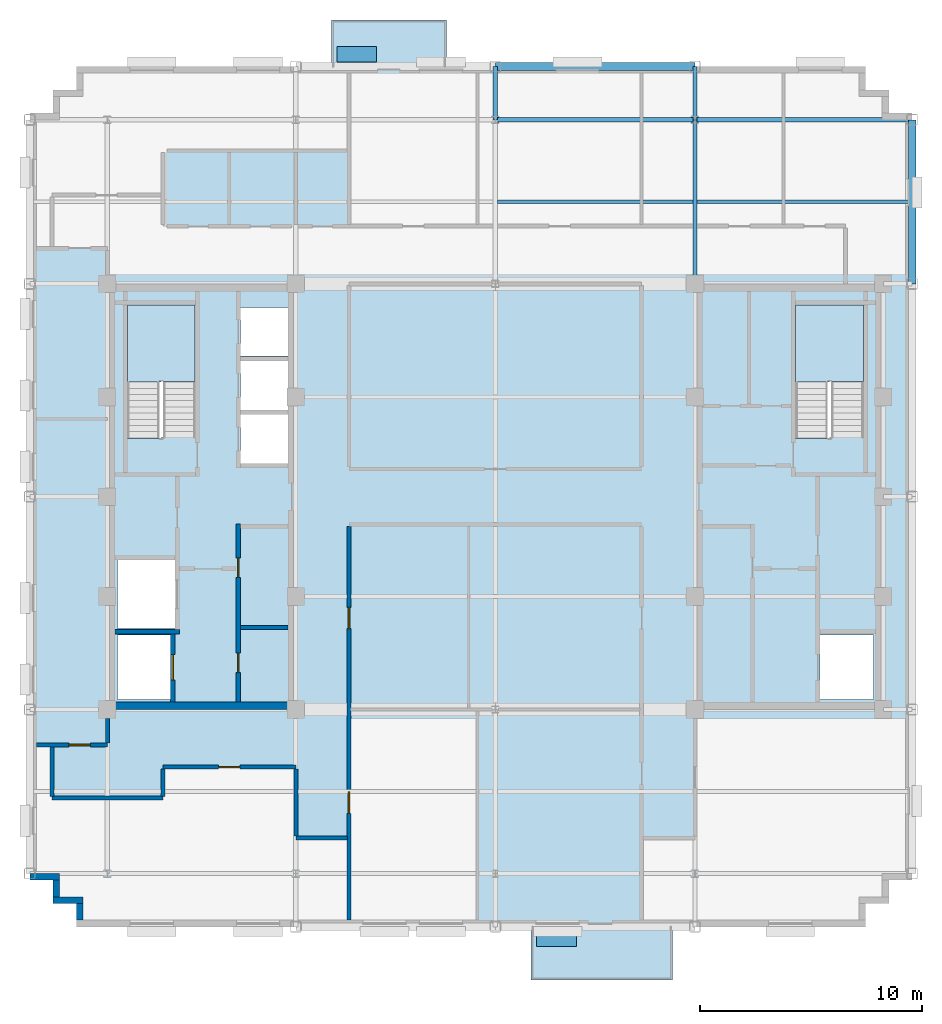
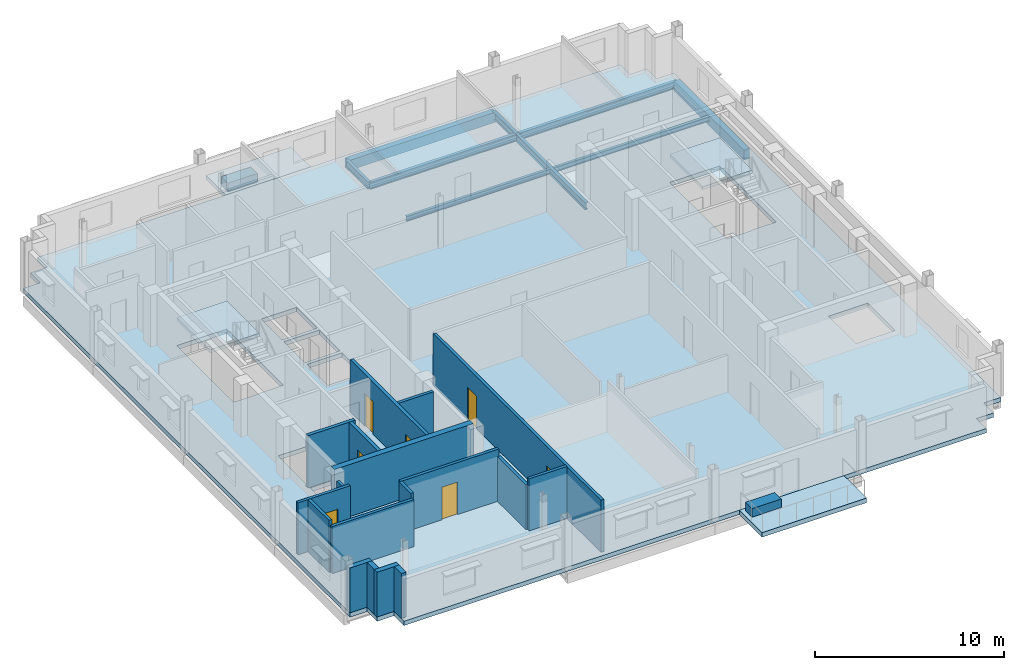
# One storey, part 5 of 13: 18 walls, 9 beams, 7 doors, 5 slabs, 2 plates, 7 openings, 2 elements without a shape of their own.
"""IFC4 building model written with IfcOpenShell, lengths in metres."""

from ifc_helpers import new_model, si_unit, direction, frame, frame_2d, origin, origin_2d, place, context, subcontext, project, spatial, polyline, rectangle, i_section, outline, extrude, source, transform, mapped, material, layer, layer_set, material_profile, profile_set, type_object, type_shapes, element, fill, aggregate, save


model = new_model("IFC4")

# Units and contexts
model_context = context("Model", 3, precision=1e-05, world=origin(), true_north=direction((0.0, 1.0)))
body_context = subcontext(model_context, "Body", "Model", "MODEL_VIEW")
ifc_project = project(units=[si_unit("LENGTHUNIT", "METRE"), si_unit("AREAUNIT", "SQUARE_METRE"), si_unit("VOLUMEUNIT", "CUBIC_METRE"), si_unit("PLANEANGLEUNIT", "RADIAN"), si_unit("MASSUNIT", "GRAM", prefix="KILO")], contexts=[model_context])

# Site, building, storey
site_placement = place(None, origin())
site = spatial("IfcSite", under=ifc_project, at=site_placement, CompositionType="ELEMENT")
building_placement = place(site_placement, origin())
building = spatial("IfcBuilding", under=site, at=building_placement, Name="Nuvemarco Arch Tower", CompositionType="ELEMENT")
storey_placement = place(building_placement, frame((0.0, 0.0, 257.949951171875)))
storey = spatial("IfcBuildingStorey", under=building, at=storey_placement, Name="L68", CompositionType="ELEMENT", Elevation=257.949951171875)

# Beams
ifc_material_1 = material(Name="Steel S355", Category="steel")
ifc_material_profile_1 = material_profile(ifc_material_1, i_section(OverallWidth=0.19189453125, OverallDepth=0.462890625, WebThickness=0.010498046875, FlangeThickness=0.017578125, FilletRadius=0.014892578125, at=origin_2d()), Name="W460x89")
ifc_profile_set_1 = profile_set([ifc_material_profile_1], Name="Steel S355")
beam_type_1 = type_object("IfcBeamType", Name="BM-GIRD-460", PredefinedType="BEAM", material=ifc_profile_set_1)
beam_1_placement = place(storey_placement, frame((0.0, 17.0, -0.511474609375), z_axis=(0.0, 1.0, 0.0), x_axis=(-1.0, 0.0, 0.0)))
element("IfcBeam", 1, at=beam_1_placement, inside=storey, type_object=beam_type_1, Name="L68 structural beam BGNS_L68_0_+0.0_+17.0", PredefinedType="BEAM", context=body_context, shape_type="SweptSolid", body=[
    extrude(i_section(OverallWidth=0.19189453125, OverallDepth=0.462890625, WebThickness=0.010498046875, FlangeThickness=0.017578125, FilletRadius=0.014892578125, at=origin_2d()), origin(), (0.0, 0.0, 1.0), 2.39990234375),
])
beam_2_placement = place(storey_placement, frame((9.0, 9.60009765625, -0.511474609375), z_axis=(0.0, 1.0, 0.0), x_axis=(-1.0, 0.0, 0.0)))
element("IfcBeam", 2, at=beam_2_placement, inside=storey, type_object=beam_type_1, Name="L68 structural beam BGNS_L68_0_+9.0_+9.6", PredefinedType="BEAM", context=body_context, shape_type="SweptSolid", body=[
    extrude(i_section(OverallWidth=0.19189453125, OverallDepth=0.462890625, WebThickness=0.010498046875, FlangeThickness=0.017578125, FilletRadius=0.014892578125, at=origin_2d()), origin(), (0.0, 0.0, 1.0), 7.39990234375),
])
beam_3_placement = place(storey_placement, frame((9.0, 17.0, -0.511474609375), z_axis=(0.0, 1.0, 0.0), x_axis=(-1.0, 0.0, 0.0)))
element("IfcBeam", 3, at=beam_3_placement, inside=storey, type_object=beam_type_1, Name="L68 structural beam BGNS_L68_0_+9.0_+17.0", PredefinedType="BEAM", context=body_context, shape_type="SweptSolid", body=[
    extrude(i_section(OverallWidth=0.19189453125, OverallDepth=0.462890625, WebThickness=0.010498046875, FlangeThickness=0.017578125, FilletRadius=0.014892578125, at=origin_2d()), origin(), (0.0, 0.0, 1.0), 2.39990234375),
])
beam_4_placement = place(storey_placement, frame((0.0, 17.0, -0.511474609375), z_axis=(1.0, 0.0, 0.0), x_axis=(0.0, 1.0, 0.0)))
element("IfcBeam", 4, at=beam_4_placement, inside=storey, type_object=beam_type_1, Name="L68 structural beam BGEW_L68_0_+17.0_+0.0", PredefinedType="BEAM", context=body_context, shape_type="SweptSolid", body=[
    extrude(i_section(OverallWidth=0.19189453125, OverallDepth=0.462890625, WebThickness=0.010498046875, FlangeThickness=0.017578125, FilletRadius=0.014892578125, at=origin_2d()), origin(), (0.0, 0.0, 1.0), 9.0),
])
beam_5_placement = place(storey_placement, frame((9.0, 17.0, -0.511474609375), z_axis=(1.0, 0.0, 0.0), x_axis=(0.0, 1.0, 0.0)))
element("IfcBeam", 5, at=beam_5_placement, inside=storey, type_object=beam_type_1, Name="L68 structural beam BGEW_L68_0_+17.0_+9.0", PredefinedType="BEAM", context=body_context, shape_type="SweptSolid", body=[
    extrude(i_section(OverallWidth=0.19189453125, OverallDepth=0.462890625, WebThickness=0.010498046875, FlangeThickness=0.017578125, FilletRadius=0.014892578125, at=origin_2d()), origin(), (0.0, 0.0, 1.0), 9.800048828125),
])
ifc_material_profile_2 = material_profile(ifc_material_1, i_section(OverallWidth=0.1669921875, OverallDepth=0.31689453125, WebThickness=0.007568359375, FlangeThickness=0.01318359375, FilletRadius=0.010009765625, at=origin_2d()), Name="W310x52")
ifc_profile_set_2 = profile_set([ifc_material_profile_2], Name="Steel S355")
beam_type_2 = type_object("IfcBeamType", Name="BM-JOIST-310", PredefinedType="JOIST", material=ifc_profile_set_2)
beam_6_placement = place(storey_placement, frame((0.095947265625, 13.300048828125, -0.4384765625), z_axis=(1.0, 0.0, 0.0), x_axis=(0.0, 1.0, 0.0)))
element("IfcBeam", 6, at=beam_6_placement, inside=storey, type_object=beam_type_2, Name="L68 structural beam BJ_L68_0_+13.3_+0.0", PredefinedType="JOIST", context=body_context, shape_type="SweptSolid", body=[
    extrude(i_section(OverallWidth=0.1669921875, OverallDepth=0.31689453125, WebThickness=0.007568359375, FlangeThickness=0.01318359375, FilletRadius=0.010009765625, at=origin_2d()), origin(), (0.0, 0.0, 1.0), 8.80810546875),
])
beam_7_placement = place(storey_placement, frame((9.095947265625, 13.300048828125, -0.4384765625), z_axis=(1.0, 0.0, 0.0), x_axis=(0.0, 1.0, 0.0)))
element("IfcBeam", 7, at=beam_7_placement, inside=storey, type_object=beam_type_2, Name="L68 structural beam BJ_L68_0_+13.3_+9.0", PredefinedType="JOIST", context=body_context, shape_type="SweptSolid", body=[
    extrude(i_section(OverallWidth=0.1669921875, OverallDepth=0.31689453125, WebThickness=0.007568359375, FlangeThickness=0.01318359375, FilletRadius=0.010009765625, at=origin_2d()), origin(), (0.0, 0.0, 1.0), 9.529052734375),
])
ifc_material_2 = material(Name="Precast concrete C45/55", Category="concrete")
ifc_material_profile_3 = material_profile(ifc_material_2, rectangle(XDim=0.35009765625, YDim=0.64990234375, at=origin_2d()), Name="PC-SP-350x650")
ifc_profile_set_3 = profile_set([ifc_material_profile_3], Name="Precast concrete C45/55")
beam_type_3 = type_object("IfcBeamType", Name="BM-SPAN-RC", PredefinedType="SPANDREL", material=ifc_profile_set_3)
beam_8_placement = place(storey_placement, frame((18.800048828125, 9.60009765625, -0.60498046875), z_axis=(0.0, 1.0, 0.0), x_axis=(-1.0, 0.0, 0.0)))
element("IfcBeam", 8, at=beam_8_placement, inside=storey, type_object=beam_type_3, Name="L68 structural beam BGNS_L68_0_+18.8_+9.6", PredefinedType="SPANDREL", context=body_context, shape_type="SweptSolid", body=[
    extrude(rectangle(XDim=0.35009765625, YDim=0.64990234375, at=origin_2d()), origin(), (0.0, 0.0, 1.0), 7.39990234375),
])
beam_9_placement = place(storey_placement, frame((0.0, 19.39990234375, -0.60498046875), z_axis=(1.0, 0.0, 0.0), x_axis=(0.0, 1.0, 0.0)))
element("IfcBeam", 9, at=beam_9_placement, inside=storey, type_object=beam_type_3, Name="L68 structural beam BGEW_L68_0_+19.4_+0.0", PredefinedType="SPANDREL", context=body_context, shape_type="SweptSolid", body=[
    extrude(rectangle(XDim=0.35009765625, YDim=0.64990234375, at=origin_2d()), origin(), (0.0, 0.0, 1.0), 9.0),
])

# Slab
ifc_material_3 = material(Name="Concrete C50/60", Category="concrete")
ifc_layer_1 = layer(ifc_material_3, 0.280029296875, Name="SL-FLR-280")
ifc_layer_set_1 = layer_set([ifc_layer_1], Name="Concrete C50/60")
slab_type_1 = type_object("IfcSlabType", Name="SL-FLR-280", PredefinedType="FLOOR", material=ifc_layer_set_1)
slab_1_placement = place(storey_placement, frame((0.0, 0.0, -0.280029296875)))
element("IfcSlab", 10, at=slab_1_placement, inside=storey, type_object=slab_type_1, Name="L68 structural floor slab", PredefinedType="FLOOR", context=body_context, shape_type="SweptSolid", body=[
    extrude(outline(polyline([(-18.89990234375, -19.39990234375), (16.699951171875, -19.39990234375), (16.699951171875, -18.35009765625), (17.75, -18.35009765625), (17.75, -17.300048828125), (18.800048828125, -17.300048828125), (18.800048828125, 17.300048828125), (17.75, 17.300048828125), (17.75, 18.35009765625), (16.699951171875, 18.35009765625), (16.699951171875, 19.39990234375), (-18.89990234375, 19.39990234375), (-18.89990234375, 18.35009765625), (-19.949951171875, 18.35009765625), (-19.949951171875, 17.300048828125), (-21.0, 17.300048828125), (-21.0, -17.300048828125), (-19.949951171875, -17.300048828125), (-19.949951171875, -18.35009765625), (-18.89990234375, -18.35009765625), (-18.89990234375, -19.39990234375)]), holes=[polyline([(-13.5400390625, 2.669921875), (-13.5400390625, 8.64990234375), (-16.60009765625, 8.64990234375), (-16.60009765625, 2.630615234375), (-15.070068359375, 2.630615234375), (-15.070068359375, 2.669921875), (-13.5400390625, 2.669921875)]), polyline([(16.60009765625, 2.669921875), (16.60009765625, 8.64990234375), (13.5400390625, 8.64990234375), (13.5400390625, 2.630615234375), (15.070068359375, 2.630615234375), (15.070068359375, 2.669921875), (16.60009765625, 2.669921875)]), polyline([(-17.050048828125, -9.14990234375), (-14.64990234375, -9.14990234375), (-14.64990234375, -6.25), (-17.050048828125, -6.25), (-17.050048828125, -9.14990234375)]), polyline([(-17.050048828125, -5.949951171875), (-14.449951171875, -5.949951171875), (-14.449951171875, -2.85009765625), (-17.050048828125, -2.85009765625), (-17.050048828125, -5.949951171875)]), polyline([(-11.5, 1.5), (-9.35009765625, 1.5), (-9.35009765625, 3.699951171875), (-11.5, 3.699951171875), (-11.5, 1.5)]), polyline([(-11.5, 3.919921875), (-9.35009765625, 3.919921875), (-9.35009765625, 6.1201171875), (-11.5, 6.1201171875), (-11.5, 3.919921875)]), polyline([(-11.5, 6.340087890625), (-9.35009765625, 6.340087890625), (-9.35009765625, 8.5400390625), (-11.5, 8.5400390625), (-11.5, 6.340087890625)]), polyline([(14.64990234375, -9.14990234375), (17.050048828125, -9.14990234375), (17.050048828125, -6.25), (14.64990234375, -6.25), (14.64990234375, -9.14990234375)])]), origin(), (0.0, 0.0, 1.0), 0.280029296875),
])

# Stair, slab
stair_type = type_object("IfcStairType", Name="ST-CORE-20R", PredefinedType="HALF_TURN_STAIR", material=ifc_material_2)
stair_1_placement = place(storey_placement, origin())
stair_1 = element("IfcStair", 11, at=stair_1_placement, inside=storey, type_object=stair_type, Name="L68 Protected Exit Stair ST-1", PredefinedType="HALF_TURN_STAIR")
ifc_layer_2 = layer(ifc_material_2, 0.199951171875, Name="SL-LANDING-200")
ifc_layer_set_2 = layer_set([ifc_layer_2], Name="Precast concrete C45/55")
slab_type_2 = type_object("IfcSlabType", Name="SL-LANDING-200", PredefinedType="LANDING", material=ifc_layer_set_2)
slab_2_placement = place(storey_placement, frame((0.0, 0.0, 1.625)))
slab_2 = element("IfcSlab", 12, at=slab_2_placement, type_object=slab_type_2, Name="ST-20R landing 1", PredefinedType="LANDING", context=body_context, shape_type="SweptSolid", body=[
    extrude(outline(polyline([(-13.5400390625, 5.189453125), (-13.5400390625, 8.64990234375), (-16.60009765625, 8.64990234375), (-16.60009765625, 5.169921875), (-15.070068359375, 5.169921875), (-15.070068359375, 5.189453125), (-13.5400390625, 5.189453125)])), origin(), (0.0, 0.0, 1.0), 0.199951171875),
])
aggregate(stair_1, [slab_2])

stair_2_placement = place(storey_placement, origin())
stair_2 = element("IfcStair", 13, at=stair_2_placement, inside=storey, type_object=stair_type, Name="L68 Protected Exit Stair ST-2", PredefinedType="HALF_TURN_STAIR")
slab_3_placement = place(storey_placement, frame((0.0, 0.0, 1.625)))
slab_3 = element("IfcSlab", 14, at=slab_3_placement, type_object=slab_type_2, Name="ST-20R landing 1", PredefinedType="LANDING", context=body_context, shape_type="SweptSolid", body=[
    extrude(outline(polyline([(16.60009765625, 5.189453125), (16.60009765625, 8.64990234375), (13.5400390625, 8.64990234375), (13.5400390625, 5.169921875), (15.070068359375, 5.169921875), (15.070068359375, 5.189453125), (16.60009765625, 5.189453125)])), origin(), (0.0, 0.0, 1.0), 0.199951171875),
])
aggregate(stair_2, [slab_3])

# Slabs
ifc_layer_3 = layer(ifc_material_3, 0.264892578125, Name="SL-TB1")
ifc_layer_set_3 = layer_set([ifc_layer_3], Name="Concrete C50/60")
slab_type_3 = type_object("IfcSlabType", Name="SL-TB1", PredefinedType="FLOOR", material=ifc_layer_set_3)
slab_4_placement = place(storey_placement, frame((0.0, 0.0, -0.264892578125)))
element("IfcSlab", 15, at=slab_4_placement, inside=storey, type_object=slab_type_3, Name="L68 outdoor tree balcony slab 2", PredefinedType="FLOOR", context=body_context, shape_type="SweptSolid", body=[
    extrude(outline(polyline([(-7.39990234375, 19.39990234375), (-2.199951171875, 19.39990234375), (-2.199951171875, 21.5), (-7.39990234375, 21.5), (-7.39990234375, 19.39990234375)])), origin(), (0.0, 0.0, 1.0), 0.264892578125),
])
ifc_layer_4 = layer(ifc_material_3, 0.294921875, Name="SL-TR4")
ifc_layer_set_4 = layer_set([ifc_layer_4], Name="Concrete C50/60")
slab_type_4 = type_object("IfcSlabType", Name="SL-TR4", PredefinedType="FLOOR", material=ifc_layer_set_4)
slab_5_placement = place(storey_placement, frame((0.0, 0.0, -0.294921875)))
element("IfcSlab", 16, at=slab_5_placement, inside=storey, type_object=slab_type_4, Name="L68 outdoor spiral terrace slab 1", PredefinedType="FLOOR", context=body_context, shape_type="SweptSolid", body=[
    extrude(outline(polyline([(1.60009765625, -21.800048828125), (8.0, -21.800048828125), (8.0, -19.39990234375), (1.60009765625, -19.39990234375), (1.60009765625, -21.800048828125)])), origin(), (0.0, 0.0, 1.0), 0.294921875),
])

# Plates
ifc_layer_5 = layer(ifc_material_2, 0.550048828125, Name="Tree Balcony Structural Planter")
ifc_layer_set_5 = layer_set([ifc_layer_5], Name="Precast concrete C45/55")
plate_type = type_object("IfcPlateType", Name="Tree Balcony Structural Planter", PredefinedType="USERDEFINED", material=ifc_layer_set_5)
shared_shape_1 = source(origin(), body_context, "Body", "SweptSolid", [
    extrude(rectangle(XDim=1.800048828125, YDim=0.699951171875, at=origin_2d()), origin(), (0.0, 0.0, 1.0), 0.550048828125),
])
type_shapes(plate_type, [shared_shape_1])
for number, where, z_axis, x_axis, name in (
    (17, (2.75, -19.949951171875, 0.0), (0.0, 0.0, 1.0), (1.0, 0.0, 0.0), "L68 Tree Balcony Structural Planter"),
    (18, (-6.25, 19.949951171875, 0.0), (0.0, 0.0, 1.0), (1.0, 0.0, 0.0), "L68 Tree Balcony Structural Planter"),
):
    element("IfcPlate", number, at=place(storey_placement, frame(where, z_axis=z_axis, x_axis=x_axis)), inside=storey, type_object=plate_type, Name=name, ObjectType="PLANTER", PredefinedType="USERDEFINED", context=body_context, shape_type="MappedRepresentation", body=[
        mapped(shared_shape_1, transform((0.0, 0.0, 0.0), scale=1.0)),
    ])

# Walls
ifc_layer_6 = layer(ifc_material_2, 0.300048828125, Name="EW-HIGH-300")
ifc_layer_set_6 = layer_set([ifc_layer_6], Name="Precast concrete C45/55")
wall_type_1 = type_object("IfcWallType", Name="EW-HIGH-300", PredefinedType="STANDARD", material=ifc_layer_set_6)
wall_1_placement = place(storey_placement, frame((-21.0, -17.14990234375, 0.0), z_axis=(0.0, 0.0, 1.0), x_axis=(1.0, 0.0, 0.0)))
element("IfcWall", 19, at=wall_1_placement, inside=storey, type_object=wall_type_1, Name="L68 exterior precast facade wall 17", PredefinedType="STANDARD", context=body_context, shape_type="SweptSolid", body=[
    extrude(rectangle(XDim=1.35009765625, YDim=0.300048828125, at=frame_2d((0.675048828125, 0.0))), origin(), (0.0, 0.0, 1.0), 2.89208984375),
])
wall_2_placement = place(storey_placement, frame((-19.800048828125, -18.053955078125, 0.0), z_axis=(0.0, 0.0, 1.0), x_axis=(0.0, 1.0, 0.0)))
element("IfcWall", 20, at=wall_2_placement, inside=storey, type_object=wall_type_1, Name="L68 exterior precast facade wall 18", PredefinedType="STANDARD", context=body_context, shape_type="SweptSolid", body=[
    extrude(rectangle(XDim=0.758056640625, YDim=0.300048828125, at=frame_2d((0.37890625, 0.0))), origin(), (0.0, 0.0, 1.0), 2.89208984375),
])
wall_3_placement = place(storey_placement, frame((-19.949951171875, -18.199951171875, 0.0), z_axis=(0.0, 0.0, 1.0), x_axis=(1.0, 0.0, 0.0)))
element("IfcWall", 21, at=wall_3_placement, inside=storey, type_object=wall_type_1, Name="L68 exterior precast facade wall 19", PredefinedType="STANDARD", context=body_context, shape_type="SweptSolid", body=[
    extrude(rectangle(XDim=1.349853515625, YDim=0.300048828125, at=frame_2d((0.6748046875, 0.0))), origin(), (0.0, 0.0, 1.0), 2.89208984375),
])
wall_4_placement = place(storey_placement, frame((-18.75, -19.10400390625, 0.0), z_axis=(0.0, 0.0, 1.0), x_axis=(0.0, 1.0, 0.0)))
element("IfcWall", 22, at=wall_4_placement, inside=storey, type_object=wall_type_1, Name="L68 exterior precast facade wall 20", PredefinedType="STANDARD", context=body_context, shape_type="SweptSolid", body=[
    extrude(rectangle(XDim=0.758056640625, YDim=0.300048828125, at=frame_2d((0.37890625, 0.0))), origin(), (0.0, 0.0, 1.0), 2.89208984375),
])
ifc_layer_7 = layer(ifc_material_3, 0.35009765625, Name="WL-CORE-350")
ifc_layer_set_7 = layer_set([ifc_layer_7], Name="Concrete C50/60")
wall_type_2 = type_object("IfcWallType", Name="WL-CORE-350", PredefinedType="SHEAR", material=ifc_layer_set_7)
wall_5_placement = place(storey_placement, frame((-17.5, -9.425048828125, 0.0), z_axis=(0.0, 0.0, 1.0), x_axis=(1.0, 0.0, 0.0)))
element("IfcWall", 23, at=wall_5_placement, inside=storey, type_object=wall_type_2, Name="L68 W-core shear wall S", PredefinedType="SHEAR", context=body_context, shape_type="SweptSolid", body=[
    extrude(rectangle(XDim=8.5, YDim=0.35009765625, at=frame_2d((4.25, 0.0))), origin(), (0.0, 0.0, 1.0), 3.3701171875),
])
ifc_material_4 = material(Name="Fire-rated gypsum drywall partition")
ifc_layer_8 = layer(ifc_material_4, 0.179931640625, Name="WL-CORR-180")
ifc_layer_set_8 = layer_set([ifc_layer_8], Name="Fire-rated gypsum drywall partition")
wall_type_3 = type_object("IfcWallType", Name="WL-CORR-180", PredefinedType="PARTITIONING", material=ifc_layer_set_8)
wall_6_placement = place(storey_placement, frame((-11.5048828125, -5.89990234375, 0.0), z_axis=(0.0, 0.0, 1.0), x_axis=(1.0, 0.0, 0.0)))
element("IfcWall", 24, at=wall_6_placement, inside=storey, type_object=wall_type_3, Name="L68 interior wall IW-L68-W-RECK3", PredefinedType="PARTITIONING", context=body_context, shape_type="SweptSolid", body=[
    extrude(rectangle(XDim=2.159912109375, YDim=0.179931640625, at=frame_2d((1.080078125, 0.0))), origin(), (0.0, 0.0, 1.0), 3.360107421875),
])
wall_7_placement = place(storey_placement, frame((-9.0, -15.39990234375, 0.0), z_axis=(0.0, 0.0, 1.0), x_axis=(1.0, 0.0, 0.0)))
element("IfcWall", 25, at=wall_7_placement, inside=storey, type_object=wall_type_3, Name="L68 interior wall IW-L68-001", PredefinedType="PARTITIONING", context=body_context, shape_type="SweptSolid", body=[
    extrude(rectangle(XDim=2.323974609375, YDim=0.179931640625, at=frame_2d((1.162109375, 0.0))), origin(), (0.0, 0.0, 1.0), 3.360107421875),
])
wall_8_placement = place(storey_placement, frame((-20.0, -13.60009765625, 0.0), z_axis=(0.0, 0.0, 1.0), x_axis=(1.0, 0.0, 0.0)))
element("IfcWall", 26, at=wall_8_placement, inside=storey, type_object=wall_type_3, Name="L68 interior wall IW-L68-003", PredefinedType="PARTITIONING", context=body_context, shape_type="SweptSolid", body=[
    extrude(rectangle(XDim=5.0, YDim=0.179931640625, at=frame_2d((2.5, 0.0))), origin(), (0.0, 0.0, 1.0), 3.0380859375),
])

# Wall, opening, door
wall_9_placement = place(storey_placement, frame((-15.0, -12.199951171875, 0.0), z_axis=(0.0, 0.0, 1.0), x_axis=(1.0, 0.0, 0.0)))
wall_9 = element("IfcWall", 27, at=wall_9_placement, inside=storey, type_object=wall_type_3, Name="L68 interior wall IW-L68-004", PredefinedType="PARTITIONING", context=body_context, shape_type="SweptSolid", body=[
    extrude(rectangle(XDim=6.0, YDim=0.179931640625, at=frame_2d((3.0, 0.0))), origin(), (0.0, 0.0, 1.0), 3.360107421875),
])
opening_1_placement = place(wall_9_placement, frame((2.52001953125, 0.0, 0.0)))
opening_1 = element("IfcOpeningElement", 28, at=opening_1_placement, cuts=wall_9, Name="Opening FD-5", PredefinedType="OPENING", context=body_context, shape_type="SweptSolid", body=[
    extrude(rectangle(XDim=0.9599609375, YDim=2.10009765625, at=frame_2d((0.47998046875, 1.050048828125))), frame((0.0, 0.099853515625, 0.0), z_axis=(0.0, -1.0, 0.0), x_axis=(1.0, 0.0, 0.0)), (0.0, 0.0, 1.0), 0.199951171875),
])
ifc_material_5 = material(Name="Timber fire door", Category="wood")
door_type_1 = type_object("IfcDoorType", Name="DR-CORR-FD", OperationType="NOTDEFINED", PredefinedType="DOOR", material=ifc_material_5)
shared_shape_2 = source(origin(), body_context, "Body", "SweptSolid", [
    extrude(rectangle(XDim=0.9599609375, YDim=2.10009765625, at=frame_2d((0.47998046875, 1.050048828125))), frame((0.0, 0.02490234375, 0.0), z_axis=(0.0, -1.0, 0.0), x_axis=(1.0, 0.0, 0.0)), (0.0, 0.0, 1.0), 0.050048828125),
])
type_shapes(door_type_1, [shared_shape_2])
door_1_placement = place(opening_1_placement, origin())
door_1 = element("IfcDoor", 29, at=door_1_placement, inside=storey, type_object=door_type_1, Name="L68 door DR-L68-S_1", OperationType="SINGLE_SWING_RIGHT", OverallHeight=2.10009765625, OverallWidth=0.9599609375, PredefinedType="DOOR", context=body_context, shape_type="MappedRepresentation", body=[
    mapped(shared_shape_2, transform((0.0, 0.0, 0.0), scale=1.0)),
])
fill(opening_1, door_1)

wall_10_placement = place(storey_placement, frame((-20.699951171875, -11.199951171875, 0.0), z_axis=(0.0, 0.0, 1.0), x_axis=(1.0, 0.0, 0.0)))
wall_10 = element("IfcWall", 30, at=wall_10_placement, inside=storey, type_object=wall_type_3, Name="L68 interior wall IW-L68-005", PredefinedType="PARTITIONING", context=body_context, shape_type="SweptSolid", body=[
    extrude(rectangle(XDim=3.199951171875, YDim=0.179931640625, at=frame_2d((1.60009765625, 0.0))), origin(), (0.0, 0.0, 1.0), 3.360107421875),
])
opening_2_placement = place(wall_10_placement, frame((1.469970703125, 0.0, 0.0)))
opening_2 = element("IfcOpeningElement", 31, at=opening_2_placement, cuts=wall_10, Name="Opening FD-5", PredefinedType="OPENING", context=body_context, shape_type="SweptSolid", body=[
    extrude(rectangle(XDim=0.9599609375, YDim=2.10009765625, at=frame_2d((0.47998046875, 1.050048828125))), frame((0.0, 0.099853515625, 0.0), z_axis=(0.0, -1.0, 0.0), x_axis=(1.0, 0.0, 0.0)), (0.0, 0.0, 1.0), 0.199951171875),
])
door_2_placement = place(opening_2_placement, origin())
door_2 = element("IfcDoor", 32, at=door_2_placement, inside=storey, type_object=door_type_1, Name="L68 door DR-L68-W_1", OperationType="SINGLE_SWING_RIGHT", OverallHeight=2.10009765625, OverallWidth=0.9599609375, PredefinedType="DOOR", context=body_context, shape_type="MappedRepresentation", body=[
    mapped(shared_shape_2, transform((0.0, 0.0, 0.0), scale=1.0)),
])
fill(opening_2, door_2)

# Walls
wall_11_placement = place(storey_placement, frame((-20.0, -13.513916015625, 0.0), z_axis=(0.0, 0.0, 1.0), x_axis=(0.0, 1.0, 0.0)))
element("IfcWall", 33, at=wall_11_placement, inside=storey, type_object=wall_type_3, Name="L68 interior wall IW-L68-018", PredefinedType="PARTITIONING", context=body_context, shape_type="SweptSolid", body=[
    extrude(rectangle(XDim=2.22802734375, YDim=0.179931640625, at=frame_2d((1.114013671875, 0.0))), origin(), (0.0, 0.0, 1.0), 3.360107421875),
])
wall_12_placement = place(storey_placement, frame((-17.5, -11.114013671875, 0.0), z_axis=(0.0, 0.0, 1.0), x_axis=(0.0, 1.0, 0.0)))
element("IfcWall", 34, at=wall_12_placement, inside=storey, type_object=wall_type_3, Name="L68 interior wall IW-L68-020", PredefinedType="PARTITIONING", context=body_context, shape_type="SweptSolid", body=[
    extrude(rectangle(XDim=1.117919921875, YDim=0.179931640625, at=frame_2d((0.55908203125, 0.0))), origin(), (0.0, 0.0, 1.0), 2.89208984375),
])
wall_13_placement = place(storey_placement, frame((-15.0, -13.513916015625, 0.0), z_axis=(0.0, 0.0, 1.0), x_axis=(0.0, 1.0, 0.0)))
element("IfcWall", 35, at=wall_13_placement, inside=storey, type_object=wall_type_3, Name="L68 interior wall IW-L68-022", PredefinedType="PARTITIONING", context=body_context, shape_type="SweptSolid", body=[
    extrude(rectangle(XDim=1.22802734375, YDim=0.179931640625, at=frame_2d((0.614013671875, 0.0))), origin(), (0.0, 0.0, 1.0), 3.360107421875),
])
wall_14_placement = place(storey_placement, frame((-9.0, -15.31396484375, 0.0), z_axis=(0.0, 0.0, 1.0), x_axis=(0.0, 1.0, 0.0)))
element("IfcWall", 36, at=wall_14_placement, inside=storey, type_object=wall_type_3, Name="L68 interior wall IW-L68-025", PredefinedType="PARTITIONING", context=body_context, shape_type="SweptSolid", body=[
    extrude(rectangle(XDim=3.028076171875, YDim=0.179931640625, at=frame_2d((1.51416015625, 0.0))), origin(), (0.0, 0.0, 1.0), 2.89208984375),
])

# Wall, openings, doors
wall_15_placement = place(storey_placement, frame((-6.60009765625, -19.10009765625, 0.0), z_axis=(0.0, 0.0, 1.0), x_axis=(0.0, 1.0, 0.0)))
wall_15 = element("IfcWall", 37, at=wall_15_placement, inside=storey, type_object=wall_type_3, Name="L68 interior wall IW-L68-027", PredefinedType="PARTITIONING", context=body_context, shape_type="SweptSolid", body=[
    extrude(rectangle(XDim=17.76416015625, YDim=0.179931640625, at=frame_2d((8.882080078125, 0.0))), origin(), (0.0, 0.0, 1.0), 3.360107421875),
])
opening_3_placement = place(wall_15_placement, frame((13.152099609375, 0.0, 0.0)))
opening_3 = element("IfcOpeningElement", 38, at=opening_3_placement, cuts=wall_15, Name="Opening FD-5", PredefinedType="OPENING", context=body_context, shape_type="SweptSolid", body=[
    extrude(rectangle(XDim=0.9599609375, YDim=2.10009765625, at=frame_2d((0.47998046875, 1.050048828125))), frame((0.0, 0.099853515625, 0.0), z_axis=(0.0, -1.0, 0.0), x_axis=(1.0, 0.0, 0.0)), (0.0, 0.0, 1.0), 0.199951171875),
])
opening_4_placement = place(wall_15_placement, frame((4.820068359375, 0.0, 0.0)))
opening_4 = element("IfcOpeningElement", 39, at=opening_4_placement, cuts=wall_15, Name="Opening FD-5", PredefinedType="OPENING", context=body_context, shape_type="SweptSolid", body=[
    extrude(rectangle(XDim=0.9599609375, YDim=2.10009765625, at=frame_2d((0.47998046875, 1.050048828125))), frame((0.0, 0.099853515625, 0.0), z_axis=(0.0, -1.0, 0.0), x_axis=(1.0, 0.0, 0.0)), (0.0, 0.0, 1.0), 0.199951171875),
])
door_3_placement = place(opening_3_placement, origin())
door_3 = element("IfcDoor", 40, at=door_3_placement, inside=storey, type_object=door_type_1, Name="L68 door DR-L68-C_S1", OperationType="SINGLE_SWING_LEFT", OverallHeight=2.10009765625, OverallWidth=0.9599609375, PredefinedType="DOOR", context=body_context, shape_type="MappedRepresentation", body=[
    mapped(shared_shape_2, transform((0.0, 0.0, 0.0), scale=1.0)),
])
fill(opening_3, door_3)
door_4_placement = place(opening_4_placement, origin())
door_4 = element("IfcDoor", 41, at=door_4_placement, inside=storey, type_object=door_type_1, Name="L68 door DR-L68-S_2", OperationType="SINGLE_SWING_RIGHT", OverallHeight=2.10009765625, OverallWidth=0.9599609375, PredefinedType="DOOR", context=body_context, shape_type="MappedRepresentation", body=[
    mapped(shared_shape_2, transform((0.0, 0.0, 0.0), scale=1.0)),
])
fill(opening_4, door_4)

# Wall, opening, door
ifc_layer_9 = layer(ifc_material_3, 0.199951171875, Name="WL-SHAFT-220")
ifc_layer_set_9 = layer_set([ifc_layer_9], Name="Concrete C50/60")
wall_type_4 = type_object("IfcWallType", Name="WL-SHAFT-220", PredefinedType="SHEAR", material=ifc_layer_set_9)
wall_16_placement = place(storey_placement, frame((-14.550048828125, -9.2548828125, 0.0), z_axis=(0.0, 0.0, 1.0), x_axis=(0.0, 1.0, 0.0)))
wall_16 = element("IfcWall", 42, at=wall_16_placement, inside=storey, type_object=wall_type_4, Name="L68 structural shaft wall SW-L68-W-SHE", PredefinedType="SHEAR", context=body_context, shape_type="SweptSolid", body=[
    extrude(rectangle(XDim=3.059814453125, YDim=0.199951171875, at=frame_2d((1.52978515625, 0.0))), origin(), (0.0, 0.0, 1.0), 3.3701171875),
])
opening_5_placement = place(wall_16_placement, frame((0.97998046875, 0.0, 0.0)))
opening_5 = element("IfcOpeningElement", 43, at=opening_5_placement, cuts=wall_16, Name="Opening LD-2", PredefinedType="OPENING", context=body_context, shape_type="SweptSolid", body=[
    extrude(rectangle(XDim=1.14990234375, YDim=2.14990234375, at=frame_2d((0.574951171875, 1.074951171875))), frame((0.0, 0.10986328125, 0.0), z_axis=(0.0, -1.0, 0.0), x_axis=(1.0, 0.0, 0.0)), (0.0, 0.0, 1.0), 0.219970703125),
])
ifc_material_6 = material(Name="Stainless steel lift door", Category="steel")
door_type_2 = type_object("IfcDoorType", Name="DR-LIFT-FIRE", OperationType="DOUBLE_DOOR_SLIDING", PredefinedType="DOOR", material=ifc_material_6)
shared_shape_3 = source(origin(), body_context, "Body", "SweptSolid", [
    extrude(rectangle(XDim=1.14990234375, YDim=2.14990234375, at=frame_2d((0.574951171875, 1.074951171875))), frame((0.0, 0.02490234375, 0.0), z_axis=(0.0, -1.0, 0.0), x_axis=(1.0, 0.0, 0.0)), (0.0, 0.0, 1.0), 0.050048828125),
])
type_shapes(door_type_2, [shared_shape_3])
door_5_placement = place(opening_5_placement, origin())
door_5 = element("IfcDoor", 44, at=door_5_placement, inside=storey, type_object=door_type_2, Name="L68 Lift landing sliding door FFL-1", OperationType="DOUBLE_DOOR_SLIDING", OverallHeight=2.14990234375, OverallWidth=1.14990234375, PredefinedType="DOOR", context=body_context, shape_type="MappedRepresentation", body=[
    mapped(shared_shape_3, transform((0.0, 0.0, 0.0), scale=1.0)),
])
fill(opening_5, door_5)

# Wall
wall_17_placement = place(storey_placement, frame((-17.155029296875, -6.10009765625, 0.0), z_axis=(0.0, 0.0, 1.0), x_axis=(1.0, 0.0, 0.0)))
element("IfcWall", 45, at=wall_17_placement, inside=storey, type_object=wall_type_4, Name="L68 structural shaft wall SW-L68-W-SH1", PredefinedType="SHEAR", context=body_context, shape_type="SweptSolid", body=[
    extrude(rectangle(XDim=2.905029296875, YDim=0.199951171875, at=frame_2d((1.45263671875, 0.0))), origin(), (0.0, 0.0, 1.0), 3.3701171875),
])

# Wall, openings, doors
wall_18_placement = place(storey_placement, frame((-11.60009765625, -9.2548828125, 0.0), z_axis=(0.0, 0.0, 1.0), x_axis=(0.0, 1.0, 0.0)))
wall_18 = element("IfcWall", 46, at=wall_18_placement, inside=storey, type_object=wall_type_4, Name="L68 structural shaft wall SW-L68-W-PLW", PredefinedType="SHEAR", context=body_context, shape_type="SweptSolid", body=[
    extrude(rectangle(XDim=8.02490234375, YDim=0.199951171875, at=frame_2d((4.012451171875, 0.0))), origin(), (0.0, 0.0, 1.0), 3.3701171875),
])
opening_6_placement = place(wall_18_placement, frame((1.31494140625, 0.0, 0.0)))
opening_6 = element("IfcOpeningElement", 47, at=opening_6_placement, cuts=wall_18, Name="Opening FD-4", PredefinedType="OPENING", context=body_context, shape_type="SweptSolid", body=[
    extrude(rectangle(XDim=0.8798828125, YDim=2.10009765625, at=frame_2d((0.43994140625, 1.050048828125))), frame((0.0, 0.10986328125, 0.0), z_axis=(0.0, -1.0, 0.0), x_axis=(1.0, 0.0, 0.0)), (0.0, 0.0, 1.0), 0.219970703125),
])
opening_7_placement = place(wall_18_placement, frame((5.614990234375, 0.0, 0.0)))
opening_7 = element("IfcOpeningElement", 48, at=opening_7_placement, cuts=wall_18, Name="Opening FD-4", PredefinedType="OPENING", context=body_context, shape_type="SweptSolid", body=[
    extrude(rectangle(XDim=0.8798828125, YDim=2.10009765625, at=frame_2d((0.43994140625, 1.050048828125))), frame((0.0, 0.10986328125, 0.0), z_axis=(0.0, -1.0, 0.0), x_axis=(1.0, 0.0, 0.0)), (0.0, 0.0, 1.0), 0.219970703125),
])
ifc_material_7 = material(Name="Anodised steel fire door", Category="steel")
door_type_3 = type_object("IfcDoorType", Name="DR-RISER-FD", OperationType="NOTDEFINED", PredefinedType="DOOR", material=ifc_material_7)
shared_shape_4 = source(origin(), body_context, "Body", "SweptSolid", [
    extrude(rectangle(XDim=0.8798828125, YDim=2.10009765625, at=frame_2d((0.43994140625, 1.050048828125))), frame((0.0, 0.02490234375, 0.0), z_axis=(0.0, -1.0, 0.0), x_axis=(1.0, 0.0, 0.0)), (0.0, 0.0, 1.0), 0.050048828125),
])
type_shapes(door_type_3, [shared_shape_4])
door_6_placement = place(opening_6_placement, origin())
door_6 = element("IfcDoor", 49, at=door_6_placement, inside=storey, type_object=door_type_3, Name="L68 door FD-L68-WREC1", OperationType="SINGLE_SWING_RIGHT", OverallHeight=2.10009765625, OverallWidth=0.8798828125, PredefinedType="DOOR", context=body_context, shape_type="MappedRepresentation", body=[
    mapped(shared_shape_4, transform((0.0, 0.0, 0.0), scale=1.0)),
])
fill(opening_6, door_6)
door_7_placement = place(opening_7_placement, origin())
door_7 = element("IfcDoor", 50, at=door_7_placement, inside=storey, type_object=door_type_3, Name="L68 door FD-L68-WREC2", OperationType="SINGLE_SWING_LEFT", OverallHeight=2.10009765625, OverallWidth=0.8798828125, PredefinedType="DOOR", context=body_context, shape_type="MappedRepresentation", body=[
    mapped(shared_shape_4, transform((0.0, 0.0, 0.0), scale=1.0)),
])
fill(opening_7, door_7)

save(model, "model.ifc")
